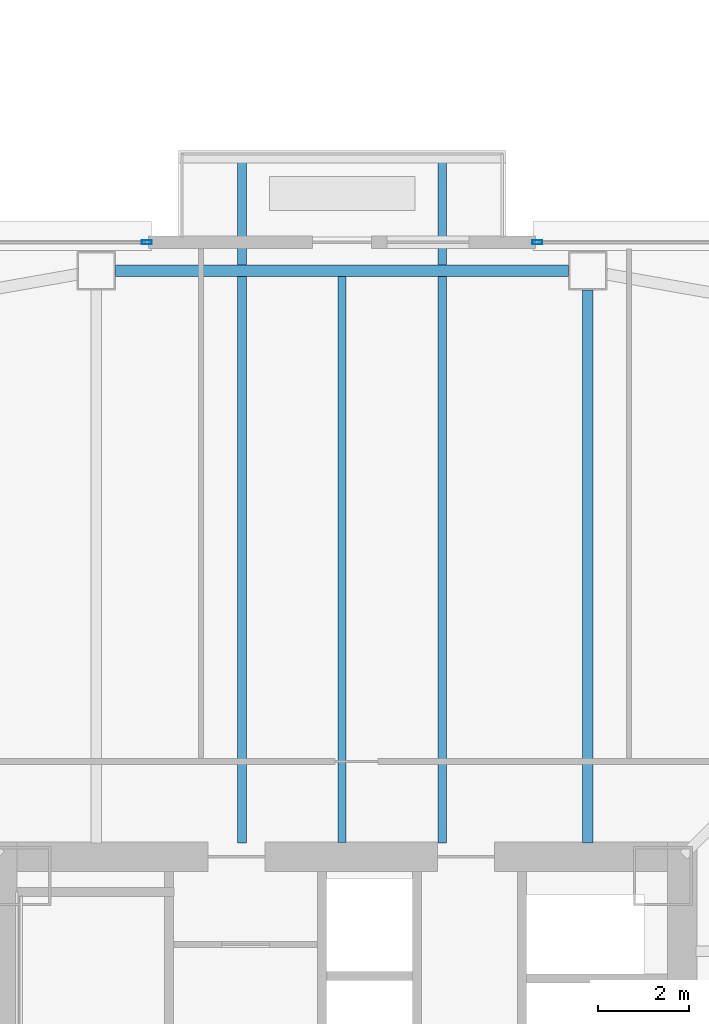
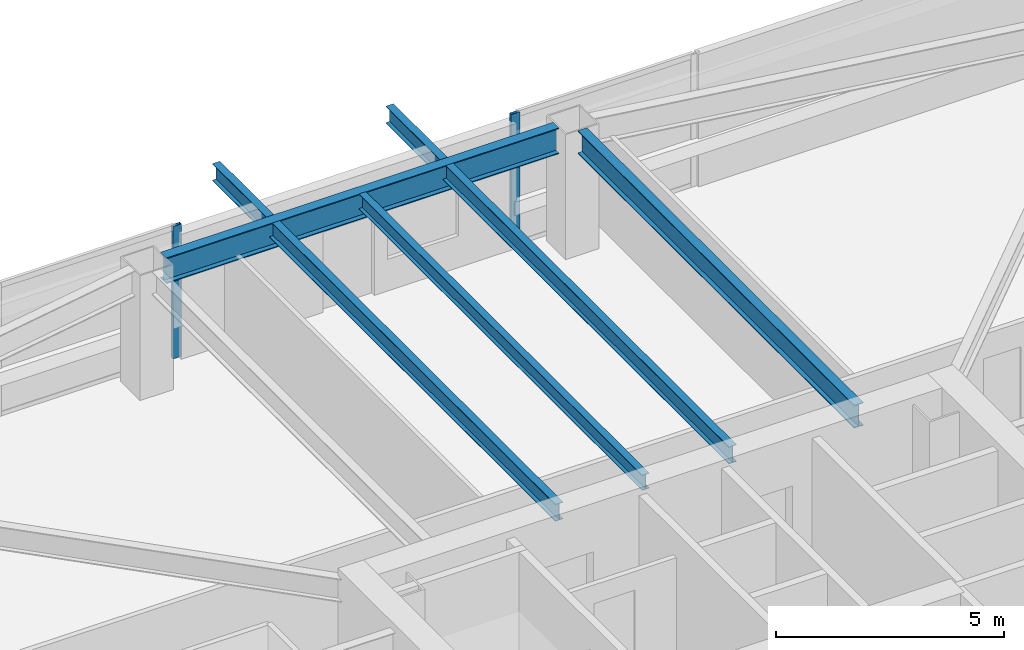
# One storey, part 15 of 48: 5 beams, 2 members, 2 elements without a shape of their own.
"""IFC4 building model written with IfcOpenShell, lengths in metres."""

from ifc_helpers import new_model, si_unit, direction, frame, origin, origin_2d, place, context, subcontext, project, spatial, hollow_rectangle, i_section, extrude, material, material_profile, profile_set, type_object, element, aggregate, save


model = new_model("IFC4")

# Units and contexts
model_context = context("Model", 3, precision=1e-05, world=origin(), true_north=direction((0.0, 1.0)))
body_context = subcontext(model_context, "Body", "Model", "MODEL_VIEW")
ifc_project = project(units=[si_unit("LENGTHUNIT", "METRE"), si_unit("AREAUNIT", "SQUARE_METRE"), si_unit("VOLUMEUNIT", "CUBIC_METRE"), si_unit("PLANEANGLEUNIT", "RADIAN"), si_unit("MASSUNIT", "GRAM", prefix="KILO")], contexts=[model_context])

# Site, building, storey
site_placement = place(None, origin())
site = spatial("IfcSite", under=ifc_project, at=site_placement, CompositionType="ELEMENT")
building_placement = place(site_placement, origin())
building = spatial("IfcBuilding", under=site, at=building_placement, Name="Tashvorn Skyway Center", CompositionType="ELEMENT")
storey_placement = place(building_placement, frame((0.0, 0.0, 77.85009765625)))
storey = spatial("IfcBuildingStorey", under=building, at=storey_placement, Name="L20", CompositionType="ELEMENT", Elevation=77.85009765625)

# Beams
ifc_material_1 = material(Name="Steel ASTM A992 Grade 50", Category="steel")
ifc_material_profile_1 = material_profile(ifc_material_1, i_section(OverallWidth=0.22998046875, OverallDepth=0.616943359375, WebThickness=0.01318359375, FlangeThickness=0.022216796875, at=origin_2d()), Name="W24X94")
ifc_profile_set_1 = profile_set([ifc_material_profile_1], Name="Steel ASTM A992 Grade 50")
beam_type_1 = type_object("IfcBeamType", Name="BM-BEAM-W24X94", PredefinedType="BEAM", material=ifc_profile_set_1)
beam_1_placement = place(storey_placement, frame((47.39990234375, 51.929931640625, 3.04150390625), z_axis=(0.0, -1.0, 0.0), x_axis=(1.0, 0.0, 0.0)))
element("IfcBeam", 1, at=beam_1_placement, inside=storey, type_object=beam_type_1, Name="Tower 1 L20 Primary Floor Girder FC-N1", PredefinedType="BEAM", context=body_context, shape_type="SweptSolid", body=[
    extrude(i_section(OverallWidth=0.22998046875, OverallDepth=0.616943359375, WebThickness=0.01318359375, FlangeThickness=0.022216796875, at=origin_2d()), origin(), (0.0, 0.0, 1.0), 12.14990234375),
])
ifc_material_profile_2 = material_profile(ifc_material_1, i_section(OverallWidth=0.177978515625, OverallDepth=0.406005859375, WebThickness=0.0078125, FlangeThickness=0.0126953125, at=origin_2d()), Name="W16X40")
ifc_profile_set_2 = profile_set([ifc_material_profile_2], Name="Steel ASTM A992 Grade 50")
beam_type_2 = type_object("IfcBeamType", Name="BM-JOIST-W16X40", PredefinedType="JOIST", material=ifc_profile_set_2)
beam_2_placement = place(storey_placement, frame((42.0, 39.7900390625, 3.14697265625), z_axis=(0.0, 1.0, 0.0), x_axis=(-1.0, 0.0, 0.0)))
element("IfcBeam", 2, at=beam_2_placement, inside=storey, type_object=beam_type_2, Name="Tower 1 L20 Secondary Composite Joist JN", PredefinedType="JOIST", context=body_context, shape_type="SweptSolid", body=[
    extrude(i_section(OverallWidth=0.177978515625, OverallDepth=0.406005859375, WebThickness=0.0078125, FlangeThickness=0.0126953125, at=origin_2d()), origin(), (0.0, 0.0, 1.0), 12.43994140625),
])
ifc_material_profile_3 = material_profile(ifc_material_1, i_section(OverallWidth=0.19091796875, OverallDepth=0.4599609375, WebThickness=0.010009765625, FlangeThickness=0.01611328125, at=origin_2d()), Name="W18X55")
ifc_profile_set_3 = profile_set([ifc_material_profile_3], Name="Steel ASTM A992 Grade 50")
beam_type_3 = type_object("IfcBeamType", Name="BM-JOIST-W18X55", PredefinedType="JOIST", material=ifc_profile_set_3)
for number, where, z_axis, x_axis, name in (
    (3, (39.800048828125, 39.780029296875, 3.119873046875), (0.0, 1.0, 0.0), (-1.0, 0.0, 0.0), "Tower 1 L21 Terrace Cantilever Outlooker 1"),
    (4, (44.199951171875, 39.780029296875, 3.119873046875), (0.0, 1.0, 0.0), (-1.0, 0.0, 0.0), "Tower 1 L21 Terrace Cantilever Outlooker 2"),
):
    element("IfcBeam", number, at=place(storey_placement, frame(where, z_axis=z_axis, x_axis=x_axis)), inside=storey, type_object=beam_type_3, Name=name, PredefinedType="JOIST", context=body_context, shape_type="SweptSolid", body=[
        extrude(i_section(OverallWidth=0.19091796875, OverallDepth=0.4599609375, WebThickness=0.010009765625, FlangeThickness=0.01611328125, at=origin_2d()), origin(), (0.0, 0.0, 1.0), 15.070068359375),
    ])
ifc_material_profile_4 = material_profile(ifc_material_1, i_section(OverallWidth=0.256103515625, OverallDepth=0.693115234375, WebThickness=0.014404296875, FlangeThickness=0.023681640625, at=origin_2d()), Name="W27X114")
ifc_profile_set_4 = profile_set([ifc_material_profile_4], Name="Steel ASTM A992 Grade 50")
beam_type_4 = type_object("IfcBeamType", Name="BM-SPANDREL-W27X114", PredefinedType="SPANDREL", material=ifc_profile_set_4)
beam_3_placement = place(storey_placement, frame((46.97998046875, 52.35009765625, 3.00341796875), z_axis=(-1.0, 0.0, 0.0), x_axis=(0.0, -1.0, 0.0)))
element("IfcBeam", 5, at=beam_3_placement, inside=storey, type_object=beam_type_4, Name="Tower 1 L20 Spandrel Beam 08", PredefinedType="SPANDREL", context=body_context, shape_type="SweptSolid", body=[
    extrude(i_section(OverallWidth=0.256103515625, OverallDepth=0.693115234375, WebThickness=0.014404296875, FlangeThickness=0.023681640625, at=origin_2d()), origin(), (0.0, 0.0, 1.0), 9.9599609375),
])

# Curtain wall, member
ifc_material_2 = material(Name="Thermally broken bronze-anodized aluminium 6063-T6", Category="aluminium")
curtain_wall_type = type_object("IfcCurtainWallType", Name="CW-CW-Z2", PredefinedType="NOTDEFINED", material=ifc_material_2)
curtain_wall_1_placement = place(storey_placement, origin())
curtain_wall_1 = element("IfcCurtainWall", 6, at=curtain_wall_1_placement, inside=storey, type_object=curtain_wall_type, Name="Tower 1 L20 North Curtain Wall L Glazing Group 1", PredefinedType="NOTDEFINED")
ifc_material_profile_5 = material_profile(ifc_material_2, hollow_rectangle(XDim=0.080078125, YDim=0.219970703125, WallThickness=0.0048828125, at=origin_2d()), Name="ALU-MULL-80x220")
ifc_profile_set_5 = profile_set([ifc_material_profile_5], Name="Thermally broken bronze-anodized aluminium 6063-T6")
member_type = type_object("IfcMemberType", Name="CWM-CW-Z2", PredefinedType="MULLION", material=ifc_profile_set_5)
member_1_placement = place(storey_placement, frame((37.7099609375, 52.97998046875, 0.0), z_axis=(0.0, 0.0, 1.0), x_axis=(0.0, 1.0, 0.0)))
member_1 = element("IfcMember", 7, at=member_1_placement, type_object=member_type, Name="CW-Z2 mullion 2", PredefinedType="MULLION", context=body_context, shape_type="SweptSolid", body=[
    extrude(hollow_rectangle(XDim=0.080078125, YDim=0.219970703125, WallThickness=0.0048828125, at=origin_2d()), origin(), (0.0, 0.0, 1.0), 3.5498046875),
])
aggregate(curtain_wall_1, [member_1])

curtain_wall_2_placement = place(storey_placement, origin())
curtain_wall_2 = element("IfcCurtainWall", 8, at=curtain_wall_2_placement, inside=storey, type_object=curtain_wall_type, Name="Tower 1 L20 North Curtain Wall R Glazing Group 1", PredefinedType="NOTDEFINED")
member_2_placement = place(storey_placement, frame((46.2900390625, 52.97998046875, 0.0), z_axis=(0.0, 0.0, 1.0), x_axis=(0.0, 1.0, 0.0)))
member_2 = element("IfcMember", 9, at=member_2_placement, type_object=member_type, Name="CW-Z2 mullion 1", PredefinedType="MULLION", context=body_context, shape_type="SweptSolid", body=[
    extrude(hollow_rectangle(XDim=0.080078125, YDim=0.219970703125, WallThickness=0.0048828125, at=origin_2d()), origin(), (0.0, 0.0, 1.0), 3.5498046875),
])
aggregate(curtain_wall_2, [member_2])

save(model, "model.ifc")
